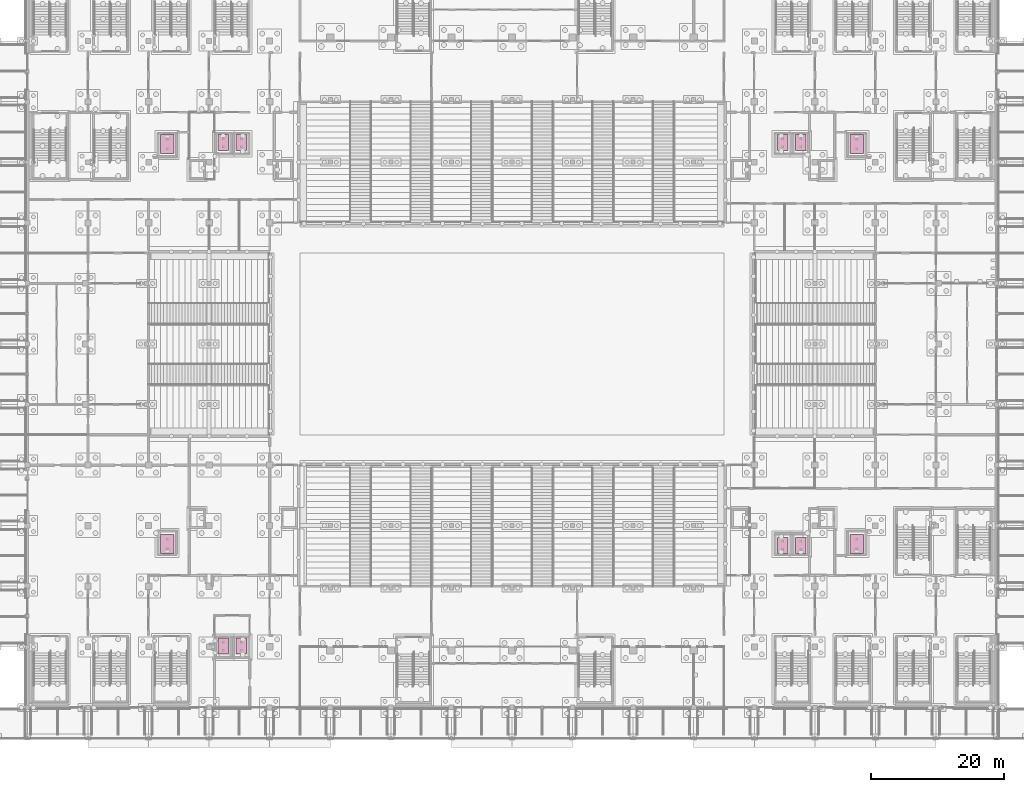
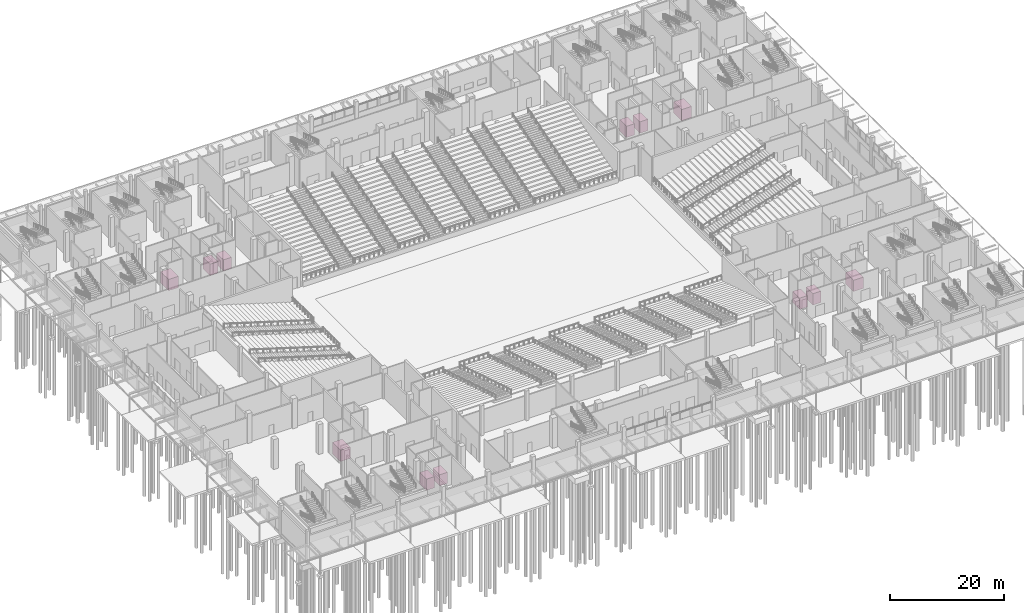
# One storey, part 129 of 129: 12 transport elements.
"""IFC4 building model written with IfcOpenShell, lengths in metres."""

from ifc_helpers import new_model, si_unit, direction, frame, origin, origin_2d, place, context, subcontext, project, spatial, rectangle, extrude, material, type_object, element, save


model = new_model("IFC4")

# Units and contexts
model_context = context("Model", 3, precision=1e-05, world=origin(), true_north=direction((0.0, 1.0)))
body_context = subcontext(model_context, "Body", "Model", "MODEL_VIEW")
ifc_project = project(units=[si_unit("LENGTHUNIT", "METRE"), si_unit("AREAUNIT", "SQUARE_METRE"), si_unit("VOLUMEUNIT", "CUBIC_METRE"), si_unit("PLANEANGLEUNIT", "RADIAN"), si_unit("MASSUNIT", "GRAM", prefix="KILO")], contexts=[model_context])

# Site, building, storey
site_placement = place(None, origin())
site = spatial("IfcSite", under=ifc_project, at=site_placement, CompositionType="ELEMENT")
building_placement = place(site_placement, origin())
building = spatial("IfcBuilding", under=site, at=building_placement, Name="Shirokan Park Arena", CompositionType="ELEMENT")
storey_placement = place(building_placement, origin())
storey = spatial("IfcBuildingStorey", under=building, at=storey_placement, Name="L00", CompositionType="ELEMENT", Elevation=0.0)

# Transport elements
ifc_material = material(Name="Stainless steel", Category="steel")
transport_element_type_1 = type_object("IfcTransportElementType", Name="Passenger lift 1600 kg 1600 x 2400", PredefinedType="ELEVATOR", material=ifc_material)
for number, where, z_axis, x_axis, name in (
    (1, (29.39990234375, 9.199951171875, 0.0), (0.0, 0.0, 1.0), (1.0, 0.0, 0.0), "Passenger Lift 1.1"),
    (2, (32.10009765625, 9.199951171875, 0.0), (0.0, 0.0, 1.0), (1.0, 0.0, 0.0), "Passenger Lift 1.2"),
    (3, (116.199951171875, 24.35009765625, 0.0), (0.0, 0.0, 1.0), (1.0, 0.0, 0.0), "Passenger Lift 2.1"),
    (4, (113.5, 24.35009765625, 0.0), (0.0, 0.0, 1.0), (1.0, 0.0, 0.0), "Passenger Lift 2.2"),
    (5, (116.199951171875, 84.85009765625, 0.0), (0.0, 0.0, 1.0), (1.0, 0.0, 0.0), "Passenger Lift 3.1"),
    (6, (113.5, 84.85009765625, 0.0), (0.0, 0.0, 1.0), (1.0, 0.0, 0.0), "Passenger Lift 3.2"),
    (7, (29.39990234375, 84.85009765625, 0.0), (0.0, 0.0, 1.0), (1.0, 0.0, 0.0), "Passenger Lift 4.1"),
    (8, (32.10009765625, 84.85009765625, 0.0), (0.0, 0.0, 1.0), (1.0, 0.0, 0.0), "Passenger Lift 4.2"),
):
    element("IfcTransportElement", number, at=place(storey_placement, frame(where, z_axis=z_axis, x_axis=x_axis)), inside=storey, type_object=transport_element_type_1, Name=name, PredefinedType="ELEVATOR", context=body_context, shape_type="SweptSolid", body=[
        extrude(rectangle(XDim=1.60009765625, YDim=2.39990234375, at=origin_2d()), origin(), (0.0, 0.0, 1.0), 2.39990234375),
    ])
transport_element_type_2 = type_object("IfcTransportElementType", Name="Service lift 2500 kg 2000 x 2800", PredefinedType="ELEVATOR", material=ifc_material)
for number, where, z_axis, x_axis, name in (
    (9, (21.0, 24.550048828125, 0.0), (0.0, 0.0, 1.0), (1.0, 0.0, 0.0), "Service Lift 1"),
    (10, (124.60009765625, 24.550048828125, 0.0), (0.0, 0.0, 1.0), (1.0, 0.0, 0.0), "Service Lift 2"),
    (11, (124.60009765625, 84.64990234375, 0.0), (0.0, 0.0, 1.0), (1.0, 0.0, 0.0), "Service Lift 3"),
    (12, (21.0, 84.64990234375, 0.0), (0.0, 0.0, 1.0), (1.0, 0.0, 0.0), "Service Lift 4"),
):
    element("IfcTransportElement", number, at=place(storey_placement, frame(where, z_axis=z_axis, x_axis=x_axis)), inside=storey, type_object=transport_element_type_2, Name=name, PredefinedType="ELEVATOR", context=body_context, shape_type="SweptSolid", body=[
        extrude(rectangle(XDim=2.0, YDim=2.800048828125, at=origin_2d()), origin(), (0.0, 0.0, 1.0), 2.39990234375),
    ])

save(model, "model.ifc")
